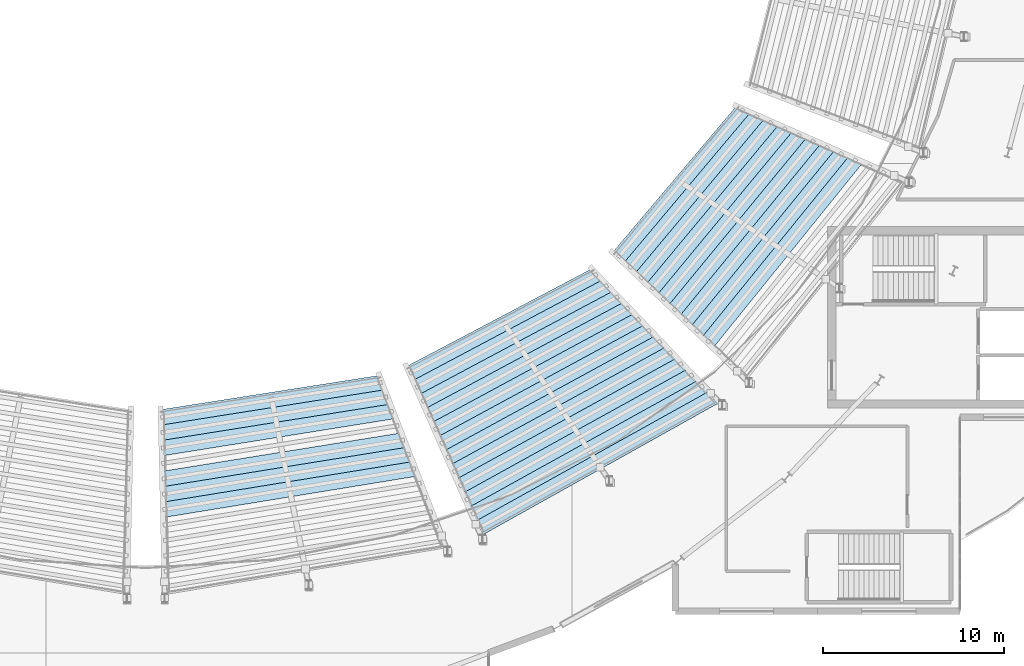
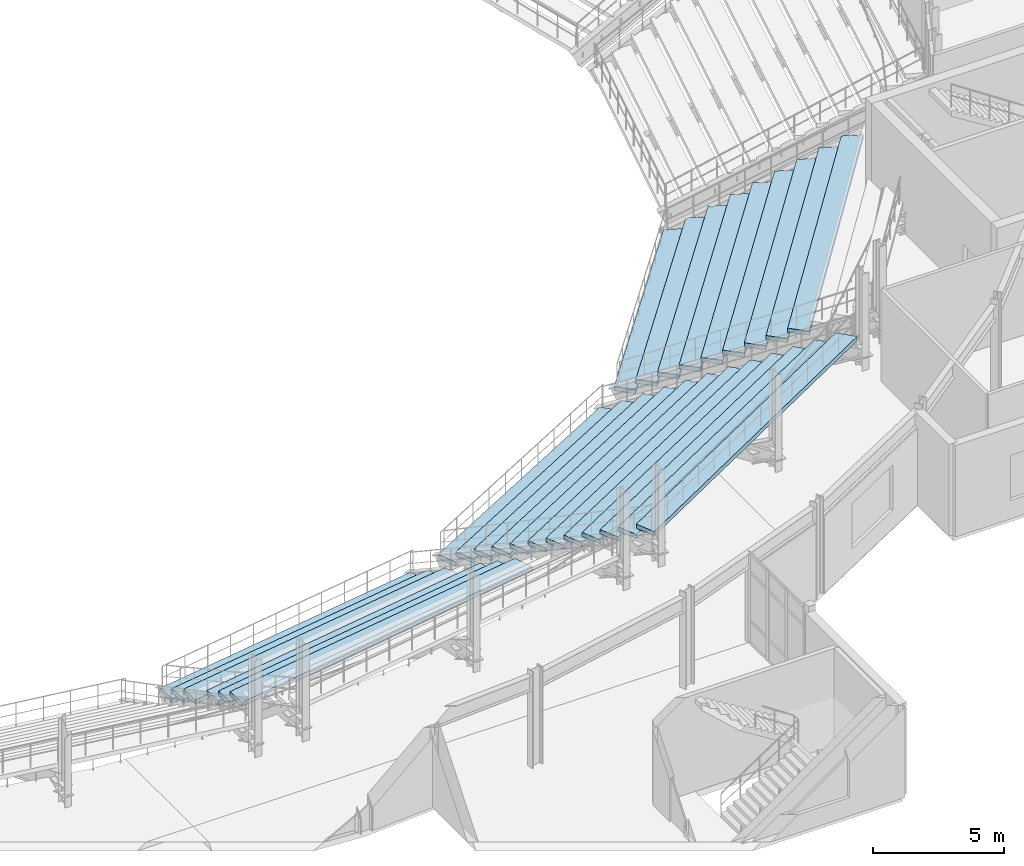
# One storey, part 46 of 81: 27 slabs.
"""IFC4 building model written with IfcOpenShell, lengths in metres."""

from ifc_helpers import new_model, si_unit, direction, frame, origin, place, context, subcontext, project, spatial, polyline, outline, extrude, material, layer, layer_set, type_object, element, save


model = new_model("IFC4")

# Units and contexts
model_context = context("Model", 3, precision=1e-05, world=origin(), true_north=direction((0.0, 1.0)))
body_context = subcontext(model_context, "Body", "Model", "MODEL_VIEW")
ifc_project = project(units=[si_unit("LENGTHUNIT", "METRE"), si_unit("AREAUNIT", "SQUARE_METRE"), si_unit("VOLUMEUNIT", "CUBIC_METRE"), si_unit("PLANEANGLEUNIT", "RADIAN"), si_unit("MASSUNIT", "GRAM", prefix="KILO")], contexts=[model_context])

# Site, building, storey
site_placement = place(None, origin())
site = spatial("IfcSite", under=ifc_project, at=site_placement, CompositionType="ELEMENT")
building_placement = place(site_placement, origin())
building = spatial("IfcBuilding", under=site, at=building_placement, Name="Glasvene Arena", CompositionType="ELEMENT")
storey_placement = place(building_placement, frame((0.0, 0.0, 15.0)))
storey = spatial("IfcBuildingStorey", under=building, at=storey_placement, Name="L03", CompositionType="ELEMENT", Elevation=15.0)

# Slabs
ifc_material = material(Name="Precast concrete C50/60", Category="concrete")
ifc_layer = layer(ifc_material, 0.199951171875)
ifc_layer_set = layer_set([ifc_layer], Name="Precast concrete C50/60")
slab_type = type_object("IfcSlabType", Name="SL-TIER-UP", PredefinedType="USERDEFINED", material=ifc_layer_set)
slab_1_placement = place(storey_placement, frame((98.92236328125, 45.44384765625, -4.10009765625)))
element("IfcSlab", 1, at=slab_1_placement, inside=storey, type_object=slab_type, Name="Stand upper tier sector 13 row 01", ObjectType="SEATING TIER", PredefinedType="USERDEFINED", context=body_context, shape_type="SweptSolid", body=[
    extrude(outline(polyline([(-6.11474609375, -0.53662109375), (5.951416015625, 1.35791015625), (6.2587890625, 0.5654296875), (-6.095458984375, -1.38623046875), (-6.11474609375, -0.53662109375)])), origin(), (0.0, 0.0, 1.0), 0.2001953125),
])
slab_2_placement = place(storey_placement, frame((99.085693359375, 44.622802734375, -3.6201171875)))
element("IfcSlab", 2, at=slab_2_placement, inside=storey, type_object=slab_type, Name="Stand upper tier sector 13 row 02", ObjectType="SEATING TIER", PredefinedType="USERDEFINED", context=body_context, shape_type="SweptSolid", body=[
    extrude(outline(polyline([(-6.2587890625, -0.565185546875), (6.095458984375, 1.386474609375), (6.40283203125, 0.593994140625), (-6.239501953125, -1.4150390625), (-6.2587890625, -0.565185546875)])), origin(), (0.0, 0.0, 1.0), 0.2001953125),
])
slab_3_placement = place(storey_placement, frame((99.2490234375, 43.8017578125, -3.139892578125)))
element("IfcSlab", 3, at=slab_3_placement, inside=storey, type_object=slab_type, Name="Stand upper tier sector 13 row 03", ObjectType="SEATING TIER", PredefinedType="USERDEFINED", context=body_context, shape_type="SweptSolid", body=[
    extrude(outline(polyline([(-6.40283203125, -0.593994140625), (6.239501953125, 1.4150390625), (6.546875, 0.62255859375), (-6.383544921875, -1.44384765625), (-6.40283203125, -0.593994140625)])), origin(), (0.0, 0.0, 1.0), 0.199951171875),
])
slab_4_placement = place(storey_placement, frame((99.57568359375, 42.159423828125, -2.179931640625)))
element("IfcSlab", 4, at=slab_4_placement, inside=storey, type_object=slab_type, Name="Stand upper tier sector 13 row 05", ObjectType="SEATING TIER", PredefinedType="USERDEFINED", context=body_context, shape_type="SweptSolid", body=[
    extrude(outline(polyline([(-6.69091796875, -0.6513671875), (6.52783203125, 1.472412109375), (6.8349609375, 0.679931640625), (-6.671630859375, -1.501220703125), (-6.69091796875, -0.6513671875)])), origin(), (0.0, 0.0, 1.0), 0.199951171875),
])
slab_5_placement = place(storey_placement, frame((99.739013671875, 41.338134765625, -1.699951171875)))
element("IfcSlab", 5, at=slab_5_placement, inside=storey, type_object=slab_type, Name="Stand upper tier sector 13 row 06", ObjectType="SEATING TIER", PredefinedType="USERDEFINED", context=body_context, shape_type="SweptSolid", body=[
    extrude(outline(polyline([(-6.8349609375, -0.679931640625), (6.671630859375, 1.501220703125), (6.97900390625, 0.708740234375), (-6.815673828125, -1.529541015625), (-6.8349609375, -0.679931640625)])), origin(), (0.0, 0.0, 1.0), 0.199951171875),
])
slab_6_placement = place(storey_placement, frame((99.90234375, 40.51708984375, -1.219970703125)))
element("IfcSlab", 6, at=slab_6_placement, inside=storey, type_object=slab_type, Name="Stand upper tier sector 13 row 07", ObjectType="SEATING TIER", PredefinedType="USERDEFINED", context=body_context, shape_type="SweptSolid", body=[
    extrude(outline(polyline([(-6.97900390625, -0.70849609375), (6.815673828125, 1.52978515625), (7.123046875, 0.7373046875), (-6.959716796875, -1.558349609375), (-6.97900390625, -0.70849609375)])), origin(), (0.0, 0.0, 1.0), 0.199951171875),
])
slab_7_placement = place(storey_placement, frame((111.71337890625, 49.63916015625, -4.10009765625)))
element("IfcSlab", 7, at=slab_7_placement, inside=storey, type_object=slab_type, Name="Stand upper tier sector 14 row 01", ObjectType="SEATING TIER", PredefinedType="USERDEFINED", context=body_context, shape_type="SweptSolid", body=[
    extrude(outline(polyline([(-5.34716796875, -2.349609375), (4.882080078125, 3.04541015625), (5.46923828125, 2.430908203125), (-5.004150390625, -3.127197265625), (-5.34716796875, -2.349609375)])), origin(), (0.0, 0.0, 1.0), 0.2001953125),
])
slab_8_placement = place(storey_placement, frame((112.178466796875, 48.94287109375, -3.6201171875)))
element("IfcSlab", 8, at=slab_8_placement, inside=storey, type_object=slab_type, Name="Stand upper tier sector 14 row 02", ObjectType="SEATING TIER", PredefinedType="USERDEFINED", context=body_context, shape_type="SweptSolid", body=[
    extrude(outline(polyline([(-5.46923828125, -2.430908203125), (5.004150390625, 3.127197265625), (5.591552734375, 2.5126953125), (-5.126220703125, -3.208740234375), (-5.46923828125, -2.430908203125)])), origin(), (0.0, 0.0, 1.0), 0.2001953125),
])
slab_9_placement = place(storey_placement, frame((112.6435546875, 48.246826171875, -3.139892578125)))
element("IfcSlab", 9, at=slab_9_placement, inside=storey, type_object=slab_type, Name="Stand upper tier sector 14 row 03", ObjectType="SEATING TIER", PredefinedType="USERDEFINED", context=body_context, shape_type="SweptSolid", body=[
    extrude(outline(polyline([(-5.59130859375, -2.5126953125), (5.12646484375, 3.208740234375), (5.713623046875, 2.59423828125), (-5.248291015625, -3.290283203125), (-5.59130859375, -2.5126953125)])), origin(), (0.0, 0.0, 1.0), 0.199951171875),
])
slab_10_placement = place(storey_placement, frame((113.10888671875, 47.55078125, -2.659912109375)))
element("IfcSlab", 10, at=slab_10_placement, inside=storey, type_object=slab_type, Name="Stand upper tier sector 14 row 04", ObjectType="SEATING TIER", PredefinedType="USERDEFINED", context=body_context, shape_type="SweptSolid", body=[
    extrude(outline(polyline([(-5.713623046875, -2.59423828125), (5.248291015625, 3.290283203125), (5.83544921875, 2.67578125), (-5.37060546875, -3.3720703125), (-5.713623046875, -2.59423828125)])), origin(), (0.0, 0.0, 1.0), 0.199951171875),
])
slab_11_placement = place(storey_placement, frame((113.573974609375, 46.8544921875, -2.179931640625)))
element("IfcSlab", 11, at=slab_11_placement, inside=storey, type_object=slab_type, Name="Stand upper tier sector 14 row 05", ObjectType="SEATING TIER", PredefinedType="USERDEFINED", context=body_context, shape_type="SweptSolid", body=[
    extrude(outline(polyline([(-5.835693359375, -2.67578125), (5.370361328125, 3.3720703125), (5.957763671875, 2.757568359375), (-5.49267578125, -3.453369140625), (-5.835693359375, -2.67578125)])), origin(), (0.0, 0.0, 1.0), 0.199951171875),
])
slab_12_placement = place(storey_placement, frame((114.0390625, 46.158447265625, -1.699951171875)))
element("IfcSlab", 12, at=slab_12_placement, inside=storey, type_object=slab_type, Name="Stand upper tier sector 14 row 06", ObjectType="SEATING TIER", PredefinedType="USERDEFINED", context=body_context, shape_type="SweptSolid", body=[
    extrude(outline(polyline([(-5.957763671875, -2.75732421875), (5.49267578125, 3.45361328125), (6.079833984375, 2.839111328125), (-5.61474609375, -3.53515625), (-5.957763671875, -2.75732421875)])), origin(), (0.0, 0.0, 1.0), 0.199951171875),
])
slab_13_placement = place(storey_placement, frame((114.504150390625, 45.46240234375, -1.219970703125)))
element("IfcSlab", 13, at=slab_13_placement, inside=storey, type_object=slab_type, Name="Stand upper tier sector 14 row 07", ObjectType="SEATING TIER", PredefinedType="USERDEFINED", context=body_context, shape_type="SweptSolid", body=[
    extrude(outline(polyline([(-6.079833984375, -2.839111328125), (5.61474609375, 3.53515625), (6.2021484375, 2.920654296875), (-5.73681640625, -3.61669921875), (-6.079833984375, -2.839111328125)])), origin(), (0.0, 0.0, 1.0), 0.199951171875),
])
slab_14_placement = place(storey_placement, frame((114.96923828125, 44.76611328125, -0.739990234375)))
element("IfcSlab", 14, at=slab_14_placement, inside=storey, type_object=slab_type, Name="Stand upper tier sector 14 row 08", ObjectType="SEATING TIER", PredefinedType="USERDEFINED", context=body_context, shape_type="SweptSolid", body=[
    extrude(outline(polyline([(-6.201904296875, -2.92041015625), (5.737060546875, 3.616943359375), (6.32421875, 3.002197265625), (-5.85888671875, -3.6982421875), (-6.201904296875, -2.92041015625)])), origin(), (0.0, 0.0, 1.0), 0.199951171875),
])
slab_15_placement = place(storey_placement, frame((115.434326171875, 44.070068359375, -0.260009765625)))
element("IfcSlab", 15, at=slab_15_placement, inside=storey, type_object=slab_type, Name="Stand upper tier sector 14 row 09", ObjectType="SEATING TIER", PredefinedType="USERDEFINED", context=body_context, shape_type="SweptSolid", body=[
    extrude(outline(polyline([(-6.323974609375, -3.002197265625), (5.859130859375, 3.6982421875), (6.4462890625, 3.083740234375), (-5.98095703125, -3.77978515625), (-6.323974609375, -3.002197265625)])), origin(), (0.0, 0.0, 1.0), 0.199951171875),
])
slab_16_placement = place(storey_placement, frame((115.899658203125, 43.3740234375, 0.219970703125)))
element("IfcSlab", 16, at=slab_16_placement, inside=storey, type_object=slab_type, Name="Stand upper tier sector 14 row 10", ObjectType="SEATING TIER", PredefinedType="USERDEFINED", context=body_context, shape_type="SweptSolid", body=[
    extrude(outline(polyline([(-6.4462890625, -3.083740234375), (5.98095703125, 3.77978515625), (6.568359375, 3.165283203125), (-6.103271484375, -3.861572265625), (-6.4462890625, -3.083740234375)])), origin(), (0.0, 0.0, 1.0), 0.199951171875),
])
slab_17_placement = place(storey_placement, frame((116.36474609375, 42.677978515625, 0.699951171875)))
element("IfcSlab", 17, at=slab_17_placement, inside=storey, type_object=slab_type, Name="Stand upper tier sector 14 row 11", ObjectType="SEATING TIER", PredefinedType="USERDEFINED", context=body_context, shape_type="SweptSolid", body=[
    extrude(outline(polyline([(-6.568359375, -3.16552734375), (6.103271484375, 3.861328125), (6.6904296875, 3.246826171875), (-6.225341796875, -3.943115234375), (-6.568359375, -3.16552734375)])), origin(), (0.0, 0.0, 1.0), 0.199951171875),
])
slab_18_placement = place(storey_placement, frame((116.829833984375, 41.981689453125, 1.179931640625)))
element("IfcSlab", 18, at=slab_18_placement, inside=storey, type_object=slab_type, Name="Stand upper tier sector 14 row 12", ObjectType="SEATING TIER", PredefinedType="USERDEFINED", context=body_context, shape_type="SweptSolid", body=[
    extrude(outline(polyline([(-6.6904296875, -3.246826171875), (6.225341796875, 3.943115234375), (6.8125, 3.32861328125), (-6.347412109375, -4.024658203125), (-6.6904296875, -3.246826171875)])), origin(), (0.0, 0.0, 1.0), 0.199951171875),
])
slab_19_placement = place(storey_placement, frame((121.503173828125, 57.390869140625, -4.10009765625)))
element("IfcSlab", 19, at=slab_19_placement, inside=storey, type_object=slab_type, Name="Stand upper tier sector 15 row 01", ObjectType="SEATING TIER", PredefinedType="USERDEFINED", context=body_context, shape_type="SweptSolid", body=[
    extrude(outline(polyline([(-3.765625, -3.8046875), (3.0693359375, 4.26953125), (3.84716796875, 3.926513671875), (-3.15087890625, -4.391845703125), (-3.765625, -3.8046875)])), origin(), (0.0, 0.0, 1.0), 0.2001953125),
])
slab_20_placement = place(storey_placement, frame((122.19921875, 56.925537109375, -3.6201171875)))
element("IfcSlab", 20, at=slab_20_placement, inside=storey, type_object=slab_type, Name="Stand upper tier sector 15 row 02", ObjectType="SEATING TIER", PredefinedType="USERDEFINED", context=body_context, shape_type="SweptSolid", body=[
    extrude(outline(polyline([(-3.846923828125, -3.926513671875), (3.151123046875, 4.391845703125), (3.9287109375, 4.048828125), (-3.232421875, -4.513916015625), (-3.846923828125, -3.926513671875)])), origin(), (0.0, 0.0, 1.0), 0.2001953125),
])
slab_21_placement = place(storey_placement, frame((122.8955078125, 56.46044921875, -3.139892578125)))
element("IfcSlab", 21, at=slab_21_placement, inside=storey, type_object=slab_type, Name="Stand upper tier sector 15 row 03", ObjectType="SEATING TIER", PredefinedType="USERDEFINED", context=body_context, shape_type="SweptSolid", body=[
    extrude(outline(polyline([(-3.9287109375, -4.048828125), (3.232421875, 4.513916015625), (4.01025390625, 4.1708984375), (-3.314208984375, -4.635986328125), (-3.9287109375, -4.048828125)])), origin(), (0.0, 0.0, 1.0), 0.199951171875),
])
slab_22_placement = place(storey_placement, frame((123.591552734375, 55.995361328125, -2.659912109375)))
element("IfcSlab", 22, at=slab_22_placement, inside=storey, type_object=slab_type, Name="Stand upper tier sector 15 row 04", ObjectType="SEATING TIER", PredefinedType="USERDEFINED", context=body_context, shape_type="SweptSolid", body=[
    extrude(outline(polyline([(-4.01025390625, -4.1708984375), (3.314208984375, 4.635986328125), (4.091796875, 4.29296875), (-3.395751953125, -4.758056640625), (-4.01025390625, -4.1708984375)])), origin(), (0.0, 0.0, 1.0), 0.199951171875),
])
slab_23_placement = place(storey_placement, frame((124.28759765625, 55.5302734375, -2.179931640625)))
element("IfcSlab", 23, at=slab_23_placement, inside=storey, type_object=slab_type, Name="Stand upper tier sector 15 row 05", ObjectType="SEATING TIER", PredefinedType="USERDEFINED", context=body_context, shape_type="SweptSolid", body=[
    extrude(outline(polyline([(-4.091796875, -4.29296875), (3.395751953125, 4.758056640625), (4.173583984375, 4.4150390625), (-3.477294921875, -4.88037109375), (-4.091796875, -4.29296875)])), origin(), (0.0, 0.0, 1.0), 0.199951171875),
])
slab_24_placement = place(storey_placement, frame((124.983642578125, 55.065185546875, -1.699951171875)))
element("IfcSlab", 24, at=slab_24_placement, inside=storey, type_object=slab_type, Name="Stand upper tier sector 15 row 06", ObjectType="SEATING TIER", PredefinedType="USERDEFINED", context=body_context, shape_type="SweptSolid", body=[
    extrude(outline(polyline([(-4.17333984375, -4.415283203125), (3.4775390625, 4.880126953125), (4.25537109375, 4.537109375), (-3.558837890625, -5.00244140625), (-4.17333984375, -4.415283203125)])), origin(), (0.0, 0.0, 1.0), 0.199951171875),
])
slab_25_placement = place(storey_placement, frame((125.679931640625, 54.599853515625, -1.219970703125)))
element("IfcSlab", 25, at=slab_25_placement, inside=storey, type_object=slab_type, Name="Stand upper tier sector 15 row 07", ObjectType="SEATING TIER", PredefinedType="USERDEFINED", context=body_context, shape_type="SweptSolid", body=[
    extrude(outline(polyline([(-4.255126953125, -4.537109375), (3.55908203125, 5.00244140625), (4.336669921875, 4.659423828125), (-3.640625, -5.124267578125), (-4.255126953125, -4.537109375)])), origin(), (0.0, 0.0, 1.0), 0.199951171875),
])
slab_26_placement = place(storey_placement, frame((126.3759765625, 54.134765625, -0.739990234375)))
element("IfcSlab", 26, at=slab_26_placement, inside=storey, type_object=slab_type, Name="Stand upper tier sector 15 row 08", ObjectType="SEATING TIER", PredefinedType="USERDEFINED", context=body_context, shape_type="SweptSolid", body=[
    extrude(outline(polyline([(-4.336669921875, -4.6591796875), (3.640625, 5.12451171875), (4.418212890625, 4.781494140625), (-3.72216796875, -5.24658203125), (-4.336669921875, -4.6591796875)])), origin(), (0.0, 0.0, 1.0), 0.199951171875),
])
slab_27_placement = place(storey_placement, frame((127.072021484375, 53.669677734375, -0.260009765625)))
element("IfcSlab", 27, at=slab_27_placement, inside=storey, type_object=slab_type, Name="Stand upper tier sector 15 row 09", ObjectType="SEATING TIER", PredefinedType="USERDEFINED", context=body_context, shape_type="SweptSolid", body=[
    extrude(outline(polyline([(-4.418212890625, -4.781494140625), (3.72216796875, 5.24658203125), (4.5, 4.903564453125), (-3.8037109375, -5.36865234375), (-4.418212890625, -4.781494140625)])), origin(), (0.0, 0.0, 1.0), 0.199951171875),
])

save(model, "model.ifc")
